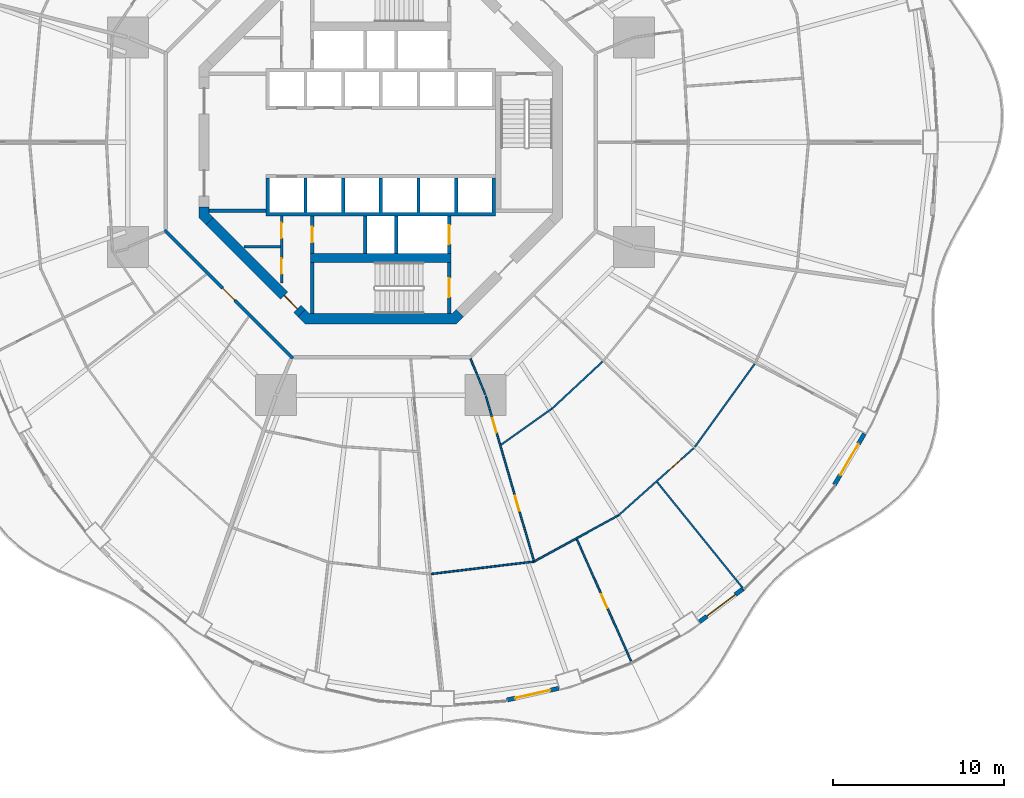
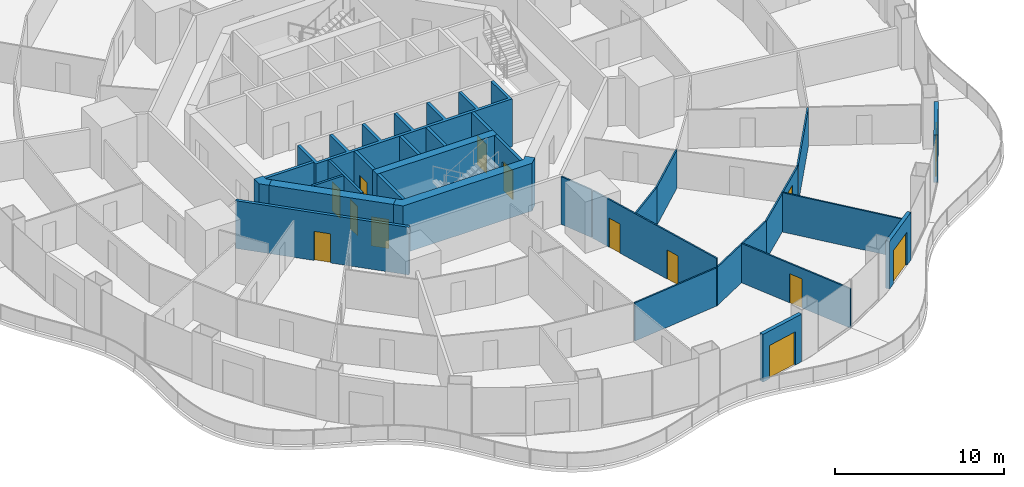
# One storey, part 15 of 22: 28 walls, 14 doors, 14 openings.
"""IFC4 building model written with IfcOpenShell, lengths in metres."""

from ifc_helpers import new_model, si_unit, direction, frame, frame_2d, origin, place, context, subcontext, project, spatial, polyline, rectangle, outline, extrude, material, layer, layer_set, type_object, element, fill, save


model = new_model("IFC4")

# Units and contexts
model_context = context("Model", 3, precision=1e-05, world=origin(), true_north=direction((0.0, 1.0)))
body_context = subcontext(model_context, "Body", "Model", "MODEL_VIEW")
ifc_project = project(units=[si_unit("LENGTHUNIT", "METRE"), si_unit("AREAUNIT", "SQUARE_METRE"), si_unit("VOLUMEUNIT", "CUBIC_METRE"), si_unit("PLANEANGLEUNIT", "RADIAN"), si_unit("MASSUNIT", "GRAM", prefix="KILO")], contexts=[model_context])

# Site, building, storey
site_placement = place(None, origin())
site = spatial("IfcSite", under=ifc_project, at=site_placement, CompositionType="ELEMENT")
building_placement = place(site_placement, origin())
building = spatial("IfcBuilding", under=site, at=building_placement, Name="Nagisa Residences", CompositionType="ELEMENT")
storey_placement = place(building_placement, frame((0.0, 0.0, 30.699951171875)))
storey = spatial("IfcBuildingStorey", under=building, at=storey_placement, Name="L06", CompositionType="ELEMENT", Elevation=30.699951171875)

# Wall, opening, door
ifc_material_1 = material(Name="Gypsum board on steel studs", Category="steel")
ifc_layer_1 = layer(ifc_material_1, 0.199951171875)
ifc_layer_set_1 = layer_set([ifc_layer_1], Name="Apartment entry wall EI60 200")
wall_type_1 = type_object("IfcWallType", Name="Apartment entry wall EI60 200", PredefinedType="PARTITIONING", material=ifc_layer_set_1)
wall_1_placement = place(storey_placement, frame((-12.635498046875, -5.1337890625, 0.0), z_axis=(0.0, 0.0, 1.0), x_axis=(0.707106781187, -0.707106781187, 0.0)))
wall_1 = element("IfcWall", 1, at=wall_1_placement, inside=storey, type_object=wall_type_1, Name="wall:L06:u13", PredefinedType="PARTITIONING", context=body_context, shape_type="SweptSolid", body=[
    extrude(rectangle(XDim=10.609130859375, YDim=0.199951171875, at=frame_2d((5.3046875, 0.0))), origin(), (0.0, 0.0, 1.0), 3.43994140625),
])
opening_1_placement = place(wall_1_placement, frame((4.804443359375, 0.0, 0.0)))
opening_1 = element("IfcOpeningElement", 2, at=opening_1_placement, cuts=wall_1, Name="Opening L06-U28", PredefinedType="OPENING", context=body_context, shape_type="SweptSolid", body=[
    extrude(rectangle(XDim=1.0, YDim=2.10009765625, at=frame_2d((0.5, 1.050048828125))), frame((0.0, 0.10986328125, 0.0), z_axis=(0.0, -1.0, 0.0), x_axis=(1.0, 0.0, 0.0)), (0.0, 0.0, 1.0), 0.219970703125),
])
ifc_material_2 = material(Name="Timber fire door set", Category="wood")
door_type_1 = type_object("IfcDoorType", Name="Apartment entry door FD30S 1000x2100", OperationType="NOTDEFINED", PredefinedType="DOOR", material=ifc_material_2)
door_1_placement = place(opening_1_placement, frame((1.0, 0.0, 0.0), x_axis=(-1.0, 0.0, 0.0)))
door_1 = element("IfcDoor", 3, at=door_1_placement, inside=storey, type_object=door_type_1, Name="Entry door, Apartment 06C", OperationType="SINGLE_SWING_LEFT", OverallHeight=2.10009765625, OverallWidth=1.0, PredefinedType="DOOR", context=body_context, shape_type="SweptSolid", body=[
    extrude(rectangle(XDim=1.0, YDim=2.10009765625, at=frame_2d((0.5, 1.050048828125))), frame((0.0, 0.02490234375, 0.0), z_axis=(0.0, -1.0, 0.0), x_axis=(1.0, 0.0, 0.0)), (0.0, 0.0, 1.0), 0.050048828125),
])
fill(opening_1, door_1)

# Walls
ifc_material_3 = material(Name="Gypsum board on steel studs", Category="steel")
ifc_layer_2 = layer(ifc_material_3, 0.10009765625)
ifc_layer_set_2 = layer_set([ifc_layer_2], Name="Apartment partition 100")
wall_type_2 = type_object("IfcWallType", Name="Apartment partition 100", PredefinedType="PARTITIONING", material=ifc_layer_set_2)
wall_2_placement = place(storey_placement, frame((2.94091796875, -25.228515625, 0.0), z_axis=(0.0, 0.0, 1.0), x_axis=(0.992836798252, 0.119478416615, 0.0)))
element("IfcWall", 4, at=wall_2_placement, inside=storey, type_object=wall_type_2, Name="wall:L06:u77", PredefinedType="PARTITIONING", context=body_context, shape_type="SweptSolid", body=[
    extrude(rectangle(XDim=6.009521484375, YDim=0.10009765625, at=frame_2d((3.0048828125, 0.0))), origin(), (0.0, 0.0, 1.0), 2.756103515625),
])
wall_3_placement = place(storey_placement, frame((5.24267578125, -12.6572265625, 0.0), z_axis=(0.0, 0.0, 1.0), x_axis=(0.382719158442, -0.923864733477, 0.0)))
element("IfcWall", 5, at=wall_3_placement, inside=storey, type_object=wall_type_2, Name="wall:L06:u78", PredefinedType="PARTITIONING", context=body_context, shape_type="SweptSolid", body=[
    extrude(rectangle(XDim=2.25, YDim=0.10009765625, at=frame_2d((1.125, 0.0))), origin(), (0.0, 0.0, 1.0), 3.43994140625),
])

# Wall, openings, doors
wall_4_placement = place(storey_placement, frame((6.136962890625, -14.830078125, 0.0), z_axis=(0.0, 0.0, 1.0), x_axis=(0.279843546189, -0.960045618529, 0.0)))
wall_4 = element("IfcWall", 6, at=wall_4_placement, inside=storey, type_object=wall_type_2, Name="wall:L06:u79", PredefinedType="PARTITIONING", context=body_context, shape_type="SweptSolid", body=[
    extrude(rectangle(XDim=10.126953125, YDim=0.10009765625, at=frame_2d((5.0634765625, 0.0))), origin(), (0.0, 0.0, 1.0), 3.43994140625),
])
opening_2_placement = place(wall_4_placement, frame((1.333740234375, 0.0, 0.0)))
opening_2 = element("IfcOpeningElement", 7, at=opening_2_placement, cuts=wall_4, Name="Opening L06-U42", PredefinedType="OPENING", context=body_context, shape_type="SweptSolid", body=[
    extrude(rectangle(XDim=0.89990234375, YDim=2.10009765625, at=frame_2d((0.449951171875, 1.050048828125))), frame((0.0, 0.06005859375, 0.0), z_axis=(0.0, -1.0, 0.0), x_axis=(1.0, 0.0, 0.0)), (0.0, 0.0, 1.0), 0.1201171875),
])
opening_3_placement = place(wall_4_placement, frame((6.09130859375, 0.0, 0.0)))
opening_3 = element("IfcOpeningElement", 8, at=opening_3_placement, cuts=wall_4, Name="Opening L06-U46", PredefinedType="OPENING", context=body_context, shape_type="SweptSolid", body=[
    extrude(rectangle(XDim=0.89990234375, YDim=2.10009765625, at=frame_2d((0.449951171875, 1.050048828125))), frame((0.0, 0.06005859375, 0.0), z_axis=(0.0, -1.0, 0.0), x_axis=(1.0, 0.0, 0.0)), (0.0, 0.0, 1.0), 0.1201171875),
])
ifc_material_4 = material(Name="Timber door set", Category="wood")
door_type_2 = type_object("IfcDoorType", Name="Apartment door 900x2100", OperationType="NOTDEFINED", PredefinedType="DOOR", material=ifc_material_4)
door_2_placement = place(opening_2_placement, origin())
door_2 = element("IfcDoor", 9, at=door_2_placement, inside=storey, type_object=door_type_2, Name="Door to store, Apartment 06D", OperationType="SINGLE_SWING_RIGHT", OverallHeight=2.10009765625, OverallWidth=0.89990234375, PredefinedType="DOOR", context=body_context, shape_type="SweptSolid", body=[
    extrude(rectangle(XDim=0.89990234375, YDim=2.10009765625, at=frame_2d((0.449951171875, 1.050048828125))), frame((0.0, 0.02490234375, 0.0), z_axis=(0.0, -1.0, 0.0), x_axis=(1.0, 0.0, 0.0)), (0.0, 0.0, 1.0), 0.050048828125),
])
fill(opening_2, door_2)
door_3_placement = place(opening_3_placement, origin())
door_3 = element("IfcDoor", 10, at=door_3_placement, inside=storey, type_object=door_type_2, Name="Door to dining room, Apartment 06D", OperationType="SINGLE_SWING_RIGHT", OverallHeight=2.10009765625, OverallWidth=0.89990234375, PredefinedType="DOOR", context=body_context, shape_type="SweptSolid", body=[
    extrude(rectangle(XDim=0.89990234375, YDim=2.10009765625, at=frame_2d((0.449951171875, 1.050048828125))), frame((0.0, 0.02490234375, 0.0), z_axis=(0.0, -1.0, 0.0), x_axis=(1.0, 0.0, 0.0)), (0.0, 0.0, 1.0), 0.050048828125),
])
fill(opening_3, door_3)

# Walls
wall_5_placement = place(storey_placement, frame((7.018798828125, -17.686279296875, 0.0), z_axis=(0.0, 0.0, 1.0), x_axis=(0.81494477814, 0.57953861699, 0.0)))
element("IfcWall", 11, at=wall_5_placement, inside=storey, type_object=wall_type_2, Name="wall:L06:u80", PredefinedType="PARTITIONING", context=body_context, shape_type="SweptSolid", body=[
    extrude(rectangle(XDim=3.644287109375, YDim=0.10009765625, at=frame_2d((1.822265625, 0.0))), origin(), (0.0, 0.0, 1.0), 2.756103515625),
])
wall_6_placement = place(storey_placement, frame((9.0009765625, -24.48046875, 0.0), z_axis=(0.0, 0.0, 1.0), x_axis=(0.876794415294, 0.480865421203, 0.0)))
element("IfcWall", 12, at=wall_6_placement, inside=storey, type_object=wall_type_2, Name="wall:L06:u81", PredefinedType="PARTITIONING", context=body_context, shape_type="SweptSolid", body=[
    extrude(rectangle(XDim=5.5361328125, YDim=0.10009765625, at=frame_2d((2.76806640625, 0.0))), origin(), (0.0, 0.0, 1.0), 2.756103515625),
])

# Wall, opening, door
wall_7_placement = place(storey_placement, frame((11.4482421875, -23.195068359375, 0.0), z_axis=(0.0, 0.0, 1.0), x_axis=(0.407016520798, -0.913420796675, 0.0)))
wall_7 = element("IfcWall", 13, at=wall_7_placement, inside=storey, type_object=wall_type_2, Name="wall:L06:u82", PredefinedType="PARTITIONING", context=body_context, shape_type="SweptSolid", body=[
    extrude(rectangle(XDim=7.944091796875, YDim=0.10009765625, at=frame_2d((3.97216796875, 0.0))), origin(), (0.0, 0.0, 1.0), 2.837158203125),
])
opening_4_placement = place(wall_7_placement, frame((3.522216796875, 0.0, 0.0)))
opening_4 = element("IfcOpeningElement", 14, at=opening_4_placement, cuts=wall_7, Name="Opening L06-U52", PredefinedType="OPENING", context=body_context, shape_type="SweptSolid", body=[
    extrude(rectangle(XDim=0.89990234375, YDim=2.10009765625, at=frame_2d((0.449951171875, 1.050048828125))), frame((0.0, 0.06005859375, 0.0), z_axis=(0.0, -1.0, 0.0), x_axis=(1.0, 0.0, 0.0)), (0.0, 0.0, 1.0), 0.1201171875),
])
door_4_placement = place(opening_4_placement, origin())
door_4 = element("IfcDoor", 15, at=door_4_placement, inside=storey, type_object=door_type_2, Name="Door to family room, Apartment 06D", OperationType="SINGLE_SWING_RIGHT", OverallHeight=2.10009765625, OverallWidth=0.89990234375, PredefinedType="DOOR", context=body_context, shape_type="SweptSolid", body=[
    extrude(rectangle(XDim=0.89990234375, YDim=2.10009765625, at=frame_2d((0.449951171875, 1.050048828125))), frame((0.0, 0.02490234375, 0.0), z_axis=(0.0, -1.0, 0.0), x_axis=(1.0, 0.0, 0.0)), (0.0, 0.0, 1.0), 0.050048828125),
])
fill(opening_4, door_4)

# Wall
wall_8_placement = place(storey_placement, frame((9.992919921875, -15.579345703125, 0.0), z_axis=(0.0, 0.0, 1.0), x_axis=(0.732028724098, 0.681273768096, 0.0)))
element("IfcWall", 16, at=wall_8_placement, inside=storey, type_object=wall_type_2, Name="wall:L06:u83", PredefinedType="PARTITIONING", context=body_context, shape_type="SweptSolid", body=[
    extrude(rectangle(XDim=4.05029296875, YDim=0.10009765625, at=frame_2d((2.025146484375, 0.0))), origin(), (0.0, 0.0, 1.0), 2.756103515625),
])

# Wall, opening, door
wall_9_placement = place(storey_placement, frame((13.861572265625, -21.82763671875, 0.0), z_axis=(0.0, 0.0, 1.0), x_axis=(0.745812746724, 0.666155647596, 0.0)))
wall_9 = element("IfcWall", 17, at=wall_9_placement, inside=storey, type_object=wall_type_2, Name="wall:L06:u84", PredefinedType="PARTITIONING", context=body_context, shape_type="SweptSolid", body=[
    extrude(rectangle(XDim=5.9306640625, YDim=0.10009765625, at=frame_2d((2.96533203125, 0.0))), origin(), (0.0, 0.0, 1.0), 2.756103515625),
])
opening_5_placement = place(wall_9_placement, frame((4.02294921875, 0.0, 0.0)))
opening_5 = element("IfcOpeningElement", 18, at=opening_5_placement, cuts=wall_9, Name="Opening L06-U53", PredefinedType="OPENING", context=body_context, shape_type="SweptSolid", body=[
    extrude(rectangle(XDim=0.89990234375, YDim=2.10009765625, at=frame_2d((0.449951171875, 1.050048828125))), frame((0.0, 0.06005859375, 0.0), z_axis=(0.0, -1.0, 0.0), x_axis=(1.0, 0.0, 0.0)), (0.0, 0.0, 1.0), 0.1201171875),
])
door_5_placement = place(opening_5_placement, frame((0.89990234375, 0.0, 0.0), x_axis=(-1.0, 0.0, 0.0)))
door_5 = element("IfcDoor", 19, at=door_5_placement, inside=storey, type_object=door_type_2, Name="Door to living room, Apartment 06D", OperationType="SINGLE_SWING_RIGHT", OverallHeight=2.10009765625, OverallWidth=0.89990234375, PredefinedType="DOOR", context=body_context, shape_type="SweptSolid", body=[
    extrude(rectangle(XDim=0.89990234375, YDim=2.10009765625, at=frame_2d((0.449951171875, 1.050048828125))), frame((0.0, 0.02490234375, 0.0), z_axis=(0.0, -1.0, 0.0), x_axis=(1.0, 0.0, 0.0)), (0.0, 0.0, 1.0), 0.050048828125),
])
fill(opening_5, door_5)

# Walls
wall_10_placement = place(storey_placement, frame((16.141845703125, -19.85791015625, 0.0), z_axis=(0.0, 0.0, 1.0), x_axis=(0.628738066508, -0.777617157555, 0.0)))
element("IfcWall", 20, at=wall_10_placement, inside=storey, type_object=wall_type_2, Name="wall:L06:u85", PredefinedType="PARTITIONING", context=body_context, shape_type="SweptSolid", body=[
    extrude(rectangle(XDim=8.091064453125, YDim=0.10009765625, at=frame_2d((4.04541015625, 0.0))), origin(), (0.0, 0.0, 1.0), 2.837158203125),
])
wall_11_placement = place(storey_placement, frame((18.35107421875, -17.802978515625, 0.0), z_axis=(0.0, 0.0, 1.0), x_axis=(0.584563700282, 0.811347817099, 0.0)))
element("IfcWall", 21, at=wall_11_placement, inside=storey, type_object=wall_type_2, Name="wall:L06:u88", PredefinedType="PARTITIONING", context=body_context, shape_type="SweptSolid", body=[
    extrude(rectangle(XDim=5.984375, YDim=0.10009765625, at=frame_2d((2.9921875, 0.0))), origin(), (0.0, 0.0, 1.0), 2.756103515625),
])

# Wall, opening, door
ifc_material_5 = material(Name="Precast concrete C40/50", Category="concrete")
ifc_layer_3 = layer(ifc_material_5, 0.25)
ifc_layer_set_3 = layer_set([ifc_layer_3], Name="BALCONY DOOR WALL 250")
wall_type_3 = type_object("IfcWallType", Name="BALCONY DOOR WALL 250", PredefinedType="SOLIDWALL", material=ifc_layer_set_3)
wall_12_placement = place(storey_placement, frame((10.3955078125, -31.908203125, 0.0), z_axis=(0.0, 0.0, 1.0), x_axis=(-0.97533495413, -0.220729987208, 0.0)))
wall_12 = element("IfcWall", 22, at=wall_12_placement, inside=storey, type_object=wall_type_3, Name="wall:L06:bay37", PredefinedType="SOLIDWALL", context=body_context, shape_type="SweptSolid", body=[
    extrude(rectangle(XDim=3.11474609375, YDim=0.25, at=frame_2d((1.557373046875, 0.0))), origin(), (0.0, 0.0, 1.0), 3.43994140625),
])
opening_6_placement = place(wall_12_placement, frame((0.50732421875, 0.0, 0.0)))
opening_6 = element("IfcOpeningElement", 23, at=opening_6_placement, cuts=wall_12, Name="Opening BD-L06-13", PredefinedType="OPENING", context=body_context, shape_type="SweptSolid", body=[
    extrude(rectangle(XDim=2.10009765625, YDim=2.39990234375, at=frame_2d((1.050048828125, 1.199951171875))), frame((0.0, 0.135009765625, 0.0), z_axis=(0.0, -1.0, 0.0), x_axis=(1.0, 0.0, 0.0)), (0.0, 0.0, 1.0), 0.27001953125),
])
ifc_material_6 = material(Name="Aluminium and clear glass", Category="aluminium")
door_type_3 = type_object("IfcDoorType", Name="BALCONY SLIDING DOOR 2100x2400", OperationType="SLIDING_TO_LEFT", PredefinedType="DOOR", material=ifc_material_6)
door_6_placement = place(opening_6_placement, origin())
door_6 = element("IfcDoor", 24, at=door_6_placement, inside=storey, type_object=door_type_3, Name="door:L06:bay37", OperationType="SLIDING_TO_LEFT", OverallHeight=2.39990234375, OverallWidth=2.10009765625, PredefinedType="DOOR", context=body_context, shape_type="SweptSolid", body=[
    extrude(rectangle(XDim=2.10009765625, YDim=2.39990234375, at=frame_2d((1.050048828125, 1.199951171875))), frame((0.0, 0.02490234375, 0.0), z_axis=(0.0, -1.0, 0.0), x_axis=(1.0, 0.0, 0.0)), (0.0, 0.0, 1.0), 0.050048828125),
])
fill(opening_6, door_6)

wall_13_placement = place(storey_placement, frame((21.178466796875, -26.0810546875, 0.0), z_axis=(0.0, 0.0, 1.0), x_axis=(-0.796022293214, -0.605267303517, 0.0)))
wall_13 = element("IfcWall", 25, at=wall_13_placement, inside=storey, type_object=wall_type_3, Name="wall:L06:bay40", PredefinedType="SOLIDWALL", context=body_context, shape_type="SweptSolid", body=[
    extrude(rectangle(XDim=3.262451171875, YDim=0.25, at=frame_2d((1.63134765625, 0.0))), origin(), (0.0, 0.0, 1.0), 3.43994140625),
])
opening_7_placement = place(wall_13_placement, frame((0.5810546875, 0.0, 0.0)))
opening_7 = element("IfcOpeningElement", 26, at=opening_7_placement, cuts=wall_13, Name="Opening BD-L06-14", PredefinedType="OPENING", context=body_context, shape_type="SweptSolid", body=[
    extrude(rectangle(XDim=2.10009765625, YDim=2.39990234375, at=frame_2d((1.050048828125, 1.199951171875))), frame((0.0, 0.135009765625, 0.0), z_axis=(0.0, -1.0, 0.0), x_axis=(1.0, 0.0, 0.0)), (0.0, 0.0, 1.0), 0.27001953125),
])
door_7_placement = place(opening_7_placement, origin())
door_7 = element("IfcDoor", 27, at=door_7_placement, inside=storey, type_object=door_type_3, Name="door:L06:bay40", OperationType="SLIDING_TO_LEFT", OverallHeight=2.39990234375, OverallWidth=2.10009765625, PredefinedType="DOOR", context=body_context, shape_type="SweptSolid", body=[
    extrude(rectangle(XDim=2.10009765625, YDim=2.39990234375, at=frame_2d((1.050048828125, 1.199951171875))), frame((0.0, 0.02490234375, 0.0), z_axis=(0.0, -1.0, 0.0), x_axis=(1.0, 0.0, 0.0)), (0.0, 0.0, 1.0), 0.050048828125),
])
fill(opening_7, door_7)

wall_14_placement = place(storey_placement, frame((28.25244140625, -17.040283203125, 0.0), z_axis=(0.0, 0.0, 1.0), x_axis=(-0.506311160839, -0.862350861546, 0.0)))
wall_14 = element("IfcWall", 28, at=wall_14_placement, inside=storey, type_object=wall_type_3, Name="wall:L06:bay43", PredefinedType="SOLIDWALL", context=body_context, shape_type="SweptSolid", body=[
    extrude(rectangle(XDim=3.462158203125, YDim=0.25, at=frame_2d((1.73095703125, 0.0))), origin(), (0.0, 0.0, 1.0), 3.43994140625),
])
opening_8_placement = place(wall_14_placement, frame((0.68115234375, 0.0, 0.0)))
opening_8 = element("IfcOpeningElement", 29, at=opening_8_placement, cuts=wall_14, Name="Opening BD-L06-15", PredefinedType="OPENING", context=body_context, shape_type="SweptSolid", body=[
    extrude(rectangle(XDim=2.10009765625, YDim=2.39990234375, at=frame_2d((1.050048828125, 1.199951171875))), frame((0.0, 0.135009765625, 0.0), z_axis=(0.0, -1.0, 0.0), x_axis=(1.0, 0.0, 0.0)), (0.0, 0.0, 1.0), 0.27001953125),
])
door_8_placement = place(opening_8_placement, origin())
door_8 = element("IfcDoor", 30, at=door_8_placement, inside=storey, type_object=door_type_3, Name="door:L06:bay43", OperationType="SLIDING_TO_LEFT", OverallHeight=2.39990234375, OverallWidth=2.10009765625, PredefinedType="DOOR", context=body_context, shape_type="SweptSolid", body=[
    extrude(rectangle(XDim=2.10009765625, YDim=2.39990234375, at=frame_2d((1.050048828125, 1.199951171875))), frame((0.0, 0.02490234375, 0.0), z_axis=(0.0, -1.0, 0.0), x_axis=(1.0, 0.0, 0.0)), (0.0, 0.0, 1.0), 0.050048828125),
])
fill(opening_8, door_8)

# Wall, openings, doors
ifc_material_7 = material(Name="Gypsum board on steel studs", Category="steel")
ifc_layer_4 = layer(ifc_material_7, 0.14990234375)
ifc_layer_set_4 = layer_set([ifc_layer_4], Name="Core partition 150")
wall_type_4 = type_object("IfcWallType", Name="Core partition 150", PredefinedType="PARTITIONING", material=ifc_layer_set_4)
wall_15_placement = place(storey_placement, frame((-5.800048828125, -8.22705078125, 0.0), z_axis=(0.0, 0.0, 1.0), x_axis=(0.0, 1.0, 0.0)))
wall_15 = element("IfcWall", 31, at=wall_15_placement, inside=storey, type_object=wall_type_4, Name="wall:L06:SWp", PredefinedType="PARTITIONING", context=body_context, shape_type="SweptSolid", body=[
    extrude(rectangle(XDim=3.927001953125, YDim=0.14990234375, at=frame_2d((1.96337890625, 0.0))), origin(), (0.0, 0.0, 1.0), 3.43994140625),
])
opening_9_placement = place(wall_15_placement, frame((2.614501953125, 0.0, 0.0)))
opening_9 = element("IfcOpeningElement", 32, at=opening_9_placement, cuts=wall_15, Name="Opening L06-C14", PredefinedType="OPENING", context=body_context, shape_type="SweptSolid", body=[
    extrude(rectangle(XDim=0.89990234375, YDim=2.10009765625, at=frame_2d((0.449951171875, 1.050048828125))), frame((0.0, 0.0849609375, 0.0), z_axis=(0.0, -1.0, 0.0), x_axis=(1.0, 0.0, 0.0)), (0.0, 0.0, 1.0), 0.169921875),
])
opening_10_placement = place(wall_15_placement, frame((0.53857421875, 0.0, 0.0)))
opening_10 = element("IfcOpeningElement", 33, at=opening_10_placement, cuts=wall_15, Name="Opening L06-C15", PredefinedType="OPENING", context=body_context, shape_type="SweptSolid", body=[
    extrude(rectangle(XDim=0.89990234375, YDim=2.10009765625, at=frame_2d((0.449951171875, 1.050048828125))), frame((0.0, 0.0849609375, 0.0), z_axis=(0.0, -1.0, 0.0), x_axis=(1.0, 0.0, 0.0)), (0.0, 0.0, 1.0), 0.169921875),
])
ifc_material_8 = material(Name="Steel fire door", Category="steel")
door_type_4 = type_object("IfcDoorType", Name="Fire door EI30 900x2100 single swing", OperationType="NOTDEFINED", PredefinedType="DOOR", material=ifc_material_8)
door_9_placement = place(opening_9_placement, origin())
door_9 = element("IfcDoor", 34, at=door_9_placement, inside=storey, type_object=door_type_4, Name="Cleaner store door L06", OperationType="SINGLE_SWING_LEFT", OverallHeight=2.10009765625, OverallWidth=0.89990234375, PredefinedType="DOOR", context=body_context, shape_type="SweptSolid", body=[
    extrude(rectangle(XDim=0.89990234375, YDim=2.10009765625, at=frame_2d((0.449951171875, 1.050048828125))), frame((0.0, 0.02490234375, 0.0), z_axis=(0.0, -1.0, 0.0), x_axis=(1.0, 0.0, 0.0)), (0.0, 0.0, 1.0), 0.050048828125),
])
fill(opening_9, door_9)
door_10_placement = place(opening_10_placement, origin())
door_10 = element("IfcDoor", 35, at=door_10_placement, inside=storey, type_object=door_type_4, Name="Package room door L06", OperationType="SINGLE_SWING_LEFT", OverallHeight=2.10009765625, OverallWidth=0.89990234375, PredefinedType="DOOR", context=body_context, shape_type="SweptSolid", body=[
    extrude(rectangle(XDim=0.89990234375, YDim=2.10009765625, at=frame_2d((0.449951171875, 1.050048828125))), frame((0.0, 0.02490234375, 0.0), z_axis=(0.0, -1.0, 0.0), x_axis=(1.0, 0.0, 0.0)), (0.0, 0.0, 1.0), 0.050048828125),
])
fill(opening_10, door_10)

# Walls
wall_16_placement = place(storey_placement, frame((-8.0009765625, -6.10009765625, 0.0), z_axis=(0.0, 0.0, 1.0), x_axis=(1.0, 0.0, 0.0)))
element("IfcWall", 36, at=wall_16_placement, inside=storey, type_object=wall_type_4, Name="wall:L06:SWq", PredefinedType="PARTITIONING", context=body_context, shape_type="SweptSolid", body=[
    extrude(rectangle(XDim=2.1259765625, YDim=0.14990234375, at=frame_2d((1.06298828125, 0.0))), origin(), (0.0, 0.0, 1.0), 3.43994140625),
])
ifc_material_9 = material(Name="Gypsum board on steel studs", Category="steel")
ifc_layer_5 = layer(ifc_material_9, 0.199951171875)
ifc_layer_set_5 = layer_set([ifc_layer_5], Name="Core partition 200")
wall_type_5 = type_object("IfcWallType", Name="Core partition 200", PredefinedType="PARTITIONING", material=ifc_layer_set_5)
wall_17_placement = place(storey_placement, frame((-10.024658203125, -4.0, 0.0), z_axis=(0.0, 0.0, 1.0), x_axis=(1.0, 0.0, 0.0)))
element("IfcWall", 37, at=wall_17_placement, inside=storey, type_object=wall_type_5, Name="wall:L06:PSW", PredefinedType="PARTITIONING", context=body_context, shape_type="SweptSolid", body=[
    extrude(rectangle(XDim=3.32470703125, YDim=0.199951171875, at=frame_2d((1.662353515625, 0.0))), origin(), (0.0, 0.0, 1.0), 3.43994140625),
])

# Wall, opening, door
ifc_material_10 = material(Name="Concrete C60", Category="concrete")
ifc_layer_6 = layer(ifc_material_10, 0.60009765625)
ifc_layer_set_6 = layer_set([ifc_layer_6], Name="Core shear wall 600")
wall_type_6 = type_object("IfcWallType", Name="Core shear wall 600", PredefinedType="SHEAR", material=ifc_layer_set_6)
wall_18_placement = place(storey_placement, frame((-9.98828125, -4.613037109375, 0.0), z_axis=(0.0, 0.0, 1.0), x_axis=(0.707106781187, -0.707106781187, 0.0)))
wall_18 = element("IfcWall", 38, at=wall_18_placement, inside=storey, type_object=wall_type_6, Name="wall:L06:core:flat5", PredefinedType="SHEAR", context=body_context, shape_type="SweptSolid", body=[
    extrude(rectangle(XDim=7.601806640625, YDim=0.60009765625, at=frame_2d((3.80078125, 0.0))), origin(), (0.0, 0.0, 1.0), 3.43994140625),
])
opening_11_placement = place(wall_18_placement, frame((6.15087890625, 0.0, 0.0)))
opening_11 = element("IfcOpeningElement", 39, at=opening_11_placement, cuts=wall_18, Name="Opening L06-C22", PredefinedType="OPENING", context=body_context, shape_type="SweptSolid", body=[
    extrude(rectangle(XDim=1.10009765625, YDim=2.10009765625, at=frame_2d((0.550048828125, 1.050048828125))), frame((0.0, 0.31005859375, 0.0), z_axis=(0.0, -1.0, 0.0), x_axis=(1.0, 0.0, 0.0)), (0.0, 0.0, 1.0), 0.6201171875),
])
ifc_material_11 = material(Name="Steel fire door", Category="steel")
door_type_5 = type_object("IfcDoorType", Name="Fire door EI60 1100x2100 single swing", OperationType="NOTDEFINED", PredefinedType="DOOR", material=ifc_material_11)
door_11_placement = place(opening_11_placement, origin())
door_11 = element("IfcDoor", 40, at=door_11_placement, inside=storey, type_object=door_type_5, Name="Housekeeping lobby door L06", OperationType="SINGLE_SWING_RIGHT", OverallHeight=2.10009765625, OverallWidth=1.10009765625, PredefinedType="DOOR", context=body_context, shape_type="SweptSolid", body=[
    extrude(rectangle(XDim=1.10009765625, YDim=2.10009765625, at=frame_2d((0.550048828125, 1.050048828125))), frame((0.0, 0.02490234375, 0.0), z_axis=(0.0, -1.0, 0.0), x_axis=(1.0, 0.0, 0.0)), (0.0, 0.0, 1.0), 0.050048828125),
])
fill(opening_11, door_11)

# Walls
wall_19_placement = place(storey_placement, origin())
element("IfcWall", 41, at=wall_19_placement, inside=storey, type_object=wall_type_6, Name="wall:L06:core:pier4", PredefinedType="SHEAR", context=body_context, shape_type="SweptSolid", body=[
    extrude(outline(polyline([(-10.62451171875, -3.80078125), (-10.024658203125, -3.80078125), (-10.024658203125, -4.15234375), (-9.776123046875, -4.40087890625), (-10.200439453125, -4.8251953125), (-10.62451171875, -4.40087890625), (-10.62451171875, -3.80078125)])), origin(), (0.0, 0.0, 1.0), 3.43994140625),
])
wall_20_placement = place(storey_placement, origin())
element("IfcWall", 42, at=wall_20_placement, inside=storey, type_object=wall_type_6, Name="wall:L06:core:flat6", PredefinedType="SHEAR", context=body_context, shape_type="SweptSolid", body=[
    extrude(outline(polyline([(-4.15234375, -10.024658203125), (4.15234375, -10.024658203125), (4.40087890625, -9.776123046875), (4.8251953125, -10.200439453125), (4.40087890625, -10.62451171875), (-4.40087890625, -10.62451171875), (-4.8251953125, -10.200439453125), (-4.40087890625, -9.776123046875), (-4.15234375, -10.024658203125)])), origin(), (0.0, 0.0, 1.0), 3.43994140625),
])

# Wall, opening, door
ifc_material_12 = material(Name="Concrete C60", Category="concrete")
ifc_layer_7 = layer(ifc_material_12, 0.199951171875)
ifc_layer_set_7 = layer_set([ifc_layer_7], Name="Lift shaft wall 200")
wall_type_7 = type_object("IfcWallType", Name="Lift shaft wall 200", PredefinedType="SOLIDWALL", material=ifc_layer_set_7)
wall_21_placement = place(storey_placement, frame((4.0, -6.5, 0.0), z_axis=(0.0, 0.0, 1.0), x_axis=(0.0, 1.0, 0.0)))
wall_21 = element("IfcWall", 43, at=wall_21_placement, inside=storey, type_object=wall_type_7, Name="wall:L06:Sb3", PredefinedType="SOLIDWALL", context=body_context, shape_type="SweptSolid", body=[
    extrude(rectangle(XDim=2.199951171875, YDim=0.199951171875, at=frame_2d((1.10009765625, 0.0))), origin(), (0.0, 0.0, 1.0), 3.43994140625),
])
opening_12_placement = place(wall_21_placement, frame((0.550048828125, 0.0, 0.0)))
opening_12 = element("IfcOpeningElement", 44, at=opening_12_placement, cuts=wall_21, Name="Opening L06-C07", PredefinedType="OPENING", context=body_context, shape_type="SweptSolid", body=[
    extrude(rectangle(XDim=1.10009765625, YDim=2.10009765625, at=frame_2d((0.550048828125, 1.050048828125))), frame((0.0, 0.10986328125, 0.0), z_axis=(0.0, -1.0, 0.0), x_axis=(1.0, 0.0, 0.0)), (0.0, 0.0, 1.0), 0.219970703125),
])
ifc_material_13 = material(Name="Stainless steel", Category="steel")
door_type_6 = type_object("IfcDoorType", Name="Lift landing door 1100x2100", OperationType="DOUBLE_DOOR_SLIDING", PredefinedType="DOOR", material=ifc_material_13)
door_12_placement = place(opening_12_placement, origin())
door_12 = element("IfcDoor", 45, at=door_12_placement, inside=storey, type_object=door_type_6, Name="Landing door FL2 L06", OperationType="DOUBLE_DOOR_SLIDING", OverallHeight=2.10009765625, OverallWidth=1.10009765625, PredefinedType="DOOR", context=body_context, shape_type="SweptSolid", body=[
    extrude(rectangle(XDim=1.10009765625, YDim=2.10009765625, at=frame_2d((0.550048828125, 1.050048828125))), frame((0.0, 0.02490234375, 0.0), z_axis=(0.0, -1.0, 0.0), x_axis=(1.0, 0.0, 0.0)), (0.0, 0.0, 1.0), 0.050048828125),
])
fill(opening_12, door_12)

wall_22_placement = place(storey_placement, frame((-4.0, -6.5, 0.0), z_axis=(0.0, 0.0, 1.0), x_axis=(0.0, 1.0, 0.0)))
wall_22 = element("IfcWall", 46, at=wall_22_placement, inside=storey, type_object=wall_type_7, Name="wall:L06:Sb4", PredefinedType="SOLIDWALL", context=body_context, shape_type="SweptSolid", body=[
    extrude(rectangle(XDim=2.199951171875, YDim=0.199951171875, at=frame_2d((1.10009765625, 0.0))), origin(), (0.0, 0.0, 1.0), 3.43994140625),
])
opening_13_placement = place(wall_22_placement, frame((0.64990234375, 0.0, 0.0)))
opening_13 = element("IfcOpeningElement", 47, at=opening_13_placement, cuts=wall_22, Name="Opening L06-C16", PredefinedType="OPENING", context=body_context, shape_type="SweptSolid", body=[
    extrude(rectangle(XDim=0.89990234375, YDim=2.10009765625, at=frame_2d((0.449951171875, 1.050048828125))), frame((0.0, 0.10986328125, 0.0), z_axis=(0.0, -1.0, 0.0), x_axis=(1.0, 0.0, 0.0)), (0.0, 0.0, 1.0), 0.219970703125),
])
door_13_placement = place(opening_13_placement, frame((0.89990234375, 0.0, 0.0), x_axis=(-1.0, 0.0, 0.0)))
door_13 = element("IfcDoor", 48, at=door_13_placement, inside=storey, type_object=door_type_4, Name="Refuse room door L06", OperationType="SINGLE_SWING_RIGHT", OverallHeight=2.10009765625, OverallWidth=0.89990234375, PredefinedType="DOOR", context=body_context, shape_type="SweptSolid", body=[
    extrude(rectangle(XDim=0.89990234375, YDim=2.10009765625, at=frame_2d((0.449951171875, 1.050048828125))), frame((0.0, 0.02490234375, 0.0), z_axis=(0.0, -1.0, 0.0), x_axis=(1.0, 0.0, 0.0)), (0.0, 0.0, 1.0), 0.050048828125),
])
fill(opening_13, door_13)

# Walls
for number, where, z_axis, x_axis, name in (
    (49, (-0.89990234375, -6.5, 0.0), (0.0, 0.0, 1.0), (0.0, 1.0, 0.0), "wall:L06:Sb1"),
    (50, (0.89990234375, -6.5, 0.0), (0.0, 0.0, 1.0), (0.0, 1.0, 0.0), "wall:L06:Sb2"),
):
    element("IfcWall", number, at=place(storey_placement, frame(where, z_axis=z_axis, x_axis=x_axis)), inside=storey, type_object=wall_type_7, Name=name, PredefinedType="SOLIDWALL", context=body_context, shape_type="SweptSolid", body=[
        extrude(rectangle(XDim=2.199951171875, YDim=0.199951171875, at=frame_2d((1.10009765625, 0.0))), origin(), (0.0, 0.0, 1.0), 3.43994140625),
    ])
wall_23_placement = place(storey_placement, origin())
element("IfcWall", 51, at=wall_23_placement, inside=storey, type_object=wall_type_7, Name="wall:L06:Sback", PredefinedType="SOLIDWALL", context=body_context, shape_type="SweptSolid", body=[
    extrude(outline(polyline([(-6.699951171875, -2.10009765625), (-6.5, -2.10009765625), (-6.5, -4.10009765625), (-4.5, -4.10009765625), (-4.5, -2.10009765625), (-4.300048828125, -2.10009765625), (-4.300048828125, -4.10009765625), (-2.300048828125, -4.10009765625), (-2.300048828125, -2.10009765625), (-2.10009765625, -2.10009765625), (-2.10009765625, -4.10009765625), (-0.10009765625, -4.10009765625), (-0.10009765625, -2.10009765625), (0.10009765625, -2.10009765625), (0.10009765625, -4.10009765625), (2.10009765625, -4.10009765625), (2.10009765625, -2.10009765625), (2.300048828125, -2.10009765625), (2.300048828125, -4.10009765625), (4.300048828125, -4.10009765625), (4.300048828125, -2.10009765625), (4.5, -2.10009765625), (4.5, -4.10009765625), (6.5, -4.10009765625), (6.5, -2.10009765625), (6.699951171875, -2.10009765625), (6.699951171875, -4.300048828125), (-6.699951171875, -4.300048828125), (-6.699951171875, -2.10009765625)])), origin(), (0.0, 0.0, 1.0), 3.43994140625),
])

# Wall, opening, door
ifc_material_14 = material(Name="Concrete C60", Category="concrete")
ifc_layer_8 = layer(ifc_material_14, 0.199951171875)
ifc_layer_set_8 = layer_set([ifc_layer_8], Name="Stair enclosure wall 200")
wall_type_8 = type_object("IfcWallType", Name="Stair enclosure wall 200", PredefinedType="SOLIDWALL", material=ifc_layer_set_8)
wall_24_placement = place(storey_placement, frame((4.0, -10.024658203125, 0.0), z_axis=(0.0, 0.0, 1.0), x_axis=(0.0, 1.0, 0.0)))
wall_24 = element("IfcWall", 52, at=wall_24_placement, inside=storey, type_object=wall_type_8, Name="wall:L06:SS_e", PredefinedType="SOLIDWALL", context=body_context, shape_type="SweptSolid", body=[
    extrude(rectangle(XDim=3.0, YDim=0.199951171875, at=frame_2d((1.5, 0.0))), origin(), (0.0, 0.0, 1.0), 3.43994140625),
])
opening_14_placement = place(wall_24_placement, frame((0.974609375, 0.0, 0.0)))
opening_14 = element("IfcOpeningElement", 53, at=opening_14_placement, cuts=wall_24, Name="Opening L06-C11", PredefinedType="OPENING", context=body_context, shape_type="SweptSolid", body=[
    extrude(rectangle(XDim=1.10009765625, YDim=2.10009765625, at=frame_2d((0.550048828125, 1.050048828125))), frame((0.0, 0.10986328125, 0.0), z_axis=(0.0, -1.0, 0.0), x_axis=(1.0, 0.0, 0.0)), (0.0, 0.0, 1.0), 0.219970703125),
])
ifc_material_15 = material(Name="Steel fire door", Category="steel")
door_type_7 = type_object("IfcDoorType", Name="Fire door EI90 1100x2100 single swing", OperationType="NOTDEFINED", PredefinedType="DOOR", material=ifc_material_15)
door_14_placement = place(opening_14_placement, origin())
door_14 = element("IfcDoor", 54, at=door_14_placement, inside=storey, type_object=door_type_7, Name="Stair door ST-S L06", OperationType="SINGLE_SWING_LEFT", OverallHeight=2.10009765625, OverallWidth=1.10009765625, PredefinedType="DOOR", context=body_context, shape_type="SweptSolid", body=[
    extrude(rectangle(XDim=1.10009765625, YDim=2.10009765625, at=frame_2d((0.550048828125, 1.050048828125))), frame((0.0, 0.02490234375, 0.0), z_axis=(0.0, -1.0, 0.0), x_axis=(1.0, 0.0, 0.0)), (0.0, 0.0, 1.0), 0.050048828125),
])
fill(opening_14, door_14)

# Walls
wall_25_placement = place(storey_placement, origin())
element("IfcWall", 55, at=wall_25_placement, inside=storey, type_object=wall_type_8, Name="wall:L06:SS_w", PredefinedType="SOLIDWALL", context=body_context, shape_type="SweptSolid", body=[
    extrude(outline(polyline([(-3.89990234375, -10.024658203125), (-4.10009765625, -10.024658203125), (-4.10009765625, -7.024658203125), (-3.89990234375, -7.024658203125), (-3.89990234375, -10.024658203125)])), origin(), (0.0, 0.0, 1.0), 3.43994140625),
])
wall_26_placement = place(storey_placement, origin())
element("IfcWall", 56, at=wall_26_placement, inside=storey, type_object=wall_type_8, Name="wall:L06:SS_n", PredefinedType="SOLIDWALL", context=body_context, shape_type="SweptSolid", body=[
    extrude(outline(polyline([(4.10009765625, -7.024658203125), (-4.10009765625, -7.024658203125), (-4.10009765625, -6.5), (4.10009765625, -6.5), (4.10009765625, -7.024658203125)])), origin(), (0.0, 0.0, 1.0), 3.43994140625),
])

save(model, "model.ifc")
